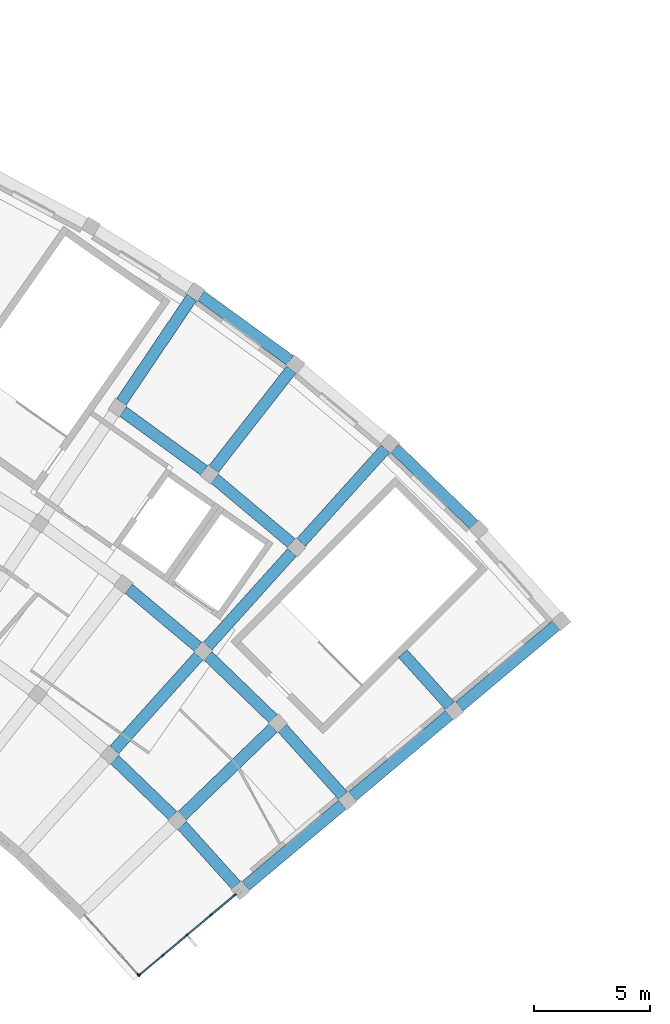
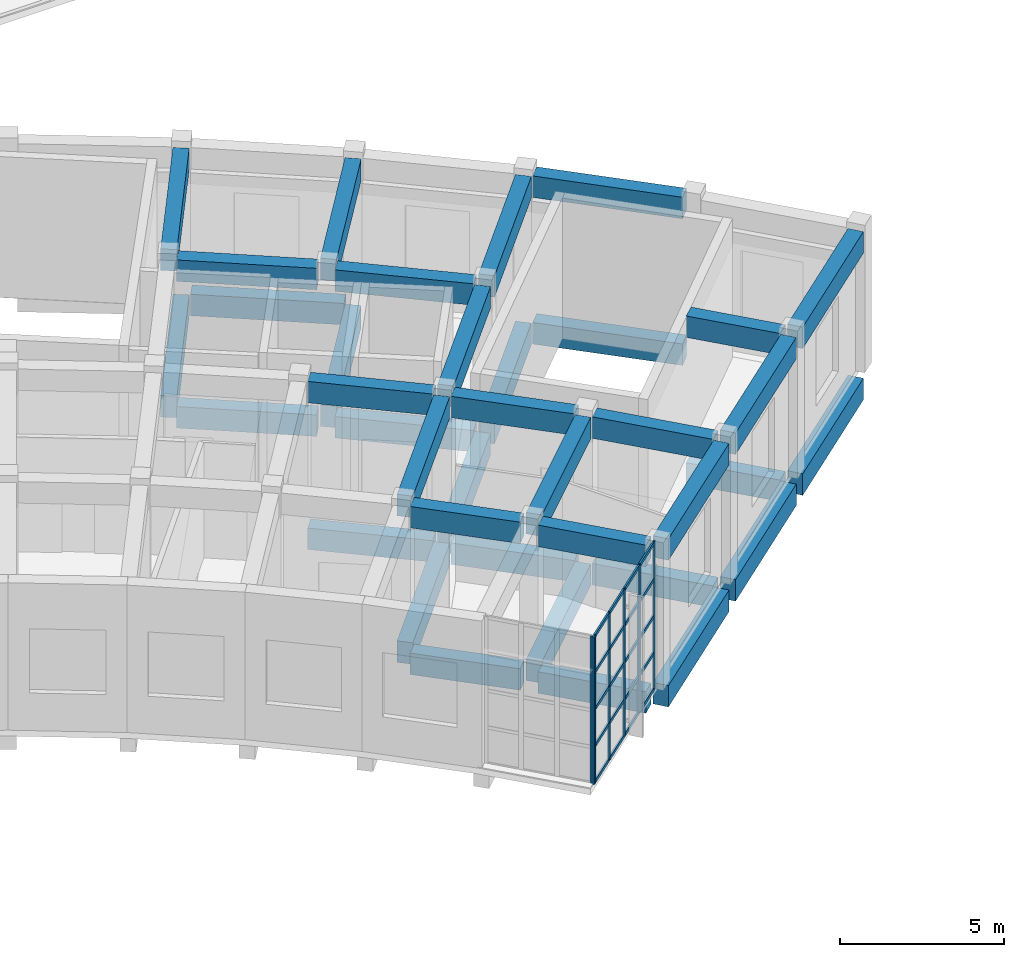
# One storey, part 49 of 94: 37 beams, 26 members, 2 elements without a shape of their own.
"""IFC4 building model written with IfcOpenShell, lengths in metres."""

from ifc_helpers import new_model, si_unit, direction, frame, origin, origin_2d, place, context, subcontext, project, spatial, rectangle, extrude, material, layer, layer_set, material_profile, profile_set, type_object, element, aggregate, save


model = new_model("IFC4")

# Units and contexts
model_context = context("Model", 3, precision=1e-05, world=origin(), true_north=direction((0.0, 1.0)))
body_context = subcontext(model_context, "Body", "Model", "MODEL_VIEW")
ifc_project = project(units=[si_unit("LENGTHUNIT", "METRE"), si_unit("AREAUNIT", "SQUARE_METRE"), si_unit("VOLUMEUNIT", "CUBIC_METRE"), si_unit("PLANEANGLEUNIT", "RADIAN"), si_unit("MASSUNIT", "GRAM", prefix="KILO")], contexts=[model_context])

# Site, building, storey
site_placement = place(None, origin())
site = spatial("IfcSite", under=ifc_project, at=site_placement, CompositionType="ELEMENT")
building_placement = place(site_placement, origin())
building = spatial("IfcBuilding", under=site, at=building_placement, Name="Lunette Opera House", CompositionType="ELEMENT")
storey_placement = place(building_placement, frame((0.0, 0.0, 22.5)))
storey = spatial("IfcBuildingStorey", under=building, at=storey_placement, Name="L04", CompositionType="ELEMENT", Elevation=22.5)

# Curtain wall, member
ifc_material_1 = material(Name="Aluminium", Category="aluminium")
ifc_layer = layer(ifc_material_1, 0.159912109375)
ifc_layer_set = layer_set([ifc_layer], Name="Aluminium")
curtain_wall_type = type_object("IfcCurtainWallType", Name="CORNER CURTAIN WALL", PredefinedType="NOTDEFINED", material=ifc_layer_set)
curtain_wall_1_placement = place(storey_placement, origin())
curtain_wall_1 = element("IfcCurtainWall", 1, at=curtain_wall_1_placement, inside=storey, type_object=curtain_wall_type, Name="Corner Curtain Wall GC-E1 L04", PredefinedType="NOTDEFINED")
ifc_material_2 = material(Name="Aluminium", Category="aluminium")
ifc_material_profile_1 = material_profile(ifc_material_2, rectangle(XDim=0.06005859375, YDim=0.159912109375, at=origin_2d()), Name="MULLION 60 X 160")
ifc_profile_set_1 = profile_set([ifc_material_profile_1], Name="Aluminium")
member_type_1 = type_object("IfcMemberType", Name="MULLION 60 X 160", PredefinedType="MULLION", material=ifc_profile_set_1)
member_1_placement = place(storey_placement, frame((136.0439453125, 33.640380859375, 0.0), z_axis=(0.0, 0.0, 1.0), x_axis=(0.744216793887, 0.667938143615, 0.0)))
member_1 = element("IfcMember", 2, at=member_1_placement, type_object=member_type_1, Name="FC-X2179 mullion 4", PredefinedType="MULLION", context=body_context, shape_type="SweptSolid", body=[
    extrude(rectangle(XDim=0.06005859375, YDim=0.159912109375, at=origin_2d()), origin(), (0.0, 0.0, 1.0), 5.5),
])
aggregate(curtain_wall_1, [member_1])

# Curtain wall, members
curtain_wall_2_placement = place(storey_placement, origin())
curtain_wall_2 = element("IfcCurtainWall", 3, at=curtain_wall_2_placement, inside=storey, type_object=curtain_wall_type, Name="Corner Curtain Wall GC-E2 L04", PredefinedType="NOTDEFINED")
member_2_placement = place(storey_placement, frame((136.0869140625, 33.63720703125, 0.0), z_axis=(0.0, 0.0, 1.0), x_axis=(-0.642840201999, 0.766000309852, 0.0)))
member_2 = element("IfcMember", 4, at=member_2_placement, type_object=member_type_1, Name="FC-X2180 mullion 1", PredefinedType="MULLION", context=body_context, shape_type="SweptSolid", body=[
    extrude(rectangle(XDim=0.06005859375, YDim=0.159912109375, at=origin_2d()), origin(), (0.0, 0.0, 1.0), 5.5),
])
member_3_placement = place(storey_placement, frame((137.097900390625, 34.48583984375, 0.0), z_axis=(0.0, 0.0, 1.0), x_axis=(-0.642840201999, 0.766000309852, 0.0)))
member_3 = element("IfcMember", 5, at=member_3_placement, type_object=member_type_1, Name="FC-X2180 mullion 2", PredefinedType="MULLION", context=body_context, shape_type="SweptSolid", body=[
    extrude(rectangle(XDim=0.06005859375, YDim=0.159912109375, at=origin_2d()), origin(), (0.0, 0.0, 1.0), 5.5),
])
member_4_placement = place(storey_placement, frame((138.132080078125, 35.353515625, 0.0), z_axis=(0.0, 0.0, 1.0), x_axis=(-0.642840201999, 0.766000309852, 0.0)))
member_4 = element("IfcMember", 6, at=member_4_placement, type_object=member_type_1, Name="FC-X2180 mullion 3", PredefinedType="MULLION", context=body_context, shape_type="SweptSolid", body=[
    extrude(rectangle(XDim=0.06005859375, YDim=0.159912109375, at=origin_2d()), origin(), (0.0, 0.0, 1.0), 5.5),
])
member_5_placement = place(storey_placement, frame((139.166015625, 36.22119140625, 0.0), z_axis=(0.0, 0.0, 1.0), x_axis=(-0.642840201999, 0.766000309852, 0.0)))
member_5 = element("IfcMember", 7, at=member_5_placement, type_object=member_type_1, Name="FC-X2180 mullion 4", PredefinedType="MULLION", context=body_context, shape_type="SweptSolid", body=[
    extrude(rectangle(XDim=0.06005859375, YDim=0.159912109375, at=origin_2d()), origin(), (0.0, 0.0, 1.0), 5.5),
])
member_6_placement = place(storey_placement, frame((140.177001953125, 37.06982421875, 0.0), z_axis=(0.0, 0.0, 1.0), x_axis=(-0.642840201999, 0.766000309852, 0.0)))
member_6 = element("IfcMember", 8, at=member_6_placement, type_object=member_type_1, Name="FC-X2180 mullion 5", PredefinedType="MULLION", context=body_context, shape_type="SweptSolid", body=[
    extrude(rectangle(XDim=0.06005859375, YDim=0.159912109375, at=origin_2d()), origin(), (0.0, 0.0, 1.0), 5.5),
])

# Beams
ifc_material_3 = material(Name="Concrete C35/45", Category="concrete")
ifc_material_profile_2 = material_profile(ifc_material_3, rectangle(XDim=0.5, YDim=0.800048828125, at=origin_2d()), Name="RC BEAM 500X800")
ifc_profile_set_2 = profile_set([ifc_material_profile_2], Name="Concrete C35/45")
beam_type = type_object("IfcBeamType", Name="RC BEAM 500X800", PredefinedType="BEAM", material=ifc_profile_set_2)
beam_1_placement = place(storey_placement, frame((135.305908203125, 58.27294921875, -0.6201171875), z_axis=(0.559110702561, 0.82909301184, 0.0), x_axis=(-0.82909301184, 0.559110702561, 0.0)))
element("IfcBeam", 9, at=beam_1_placement, inside=storey, type_object=beam_type, Name="beam-FC-L04-L04-RB-RL-22-4", PredefinedType="BEAM", context=body_context, shape_type="SweptSolid", body=[
    extrude(rectangle(XDim=0.5, YDim=0.800048828125, at=origin_2d()), origin(), (0.0, 0.0, 1.0), 5.41943359375),
])
beam_2_placement = place(storey_placement, frame((139.27490234375, 55.388916015625, -0.6201171875), z_axis=(0.615694738136, 0.78798476472, 0.0), x_axis=(-0.78798476472, 0.615694738136, 0.0)))
element("IfcBeam", 10, at=beam_2_placement, inside=storey, type_object=beam_type, Name="beam-FC-L04-L04-RB-RL-23-4", PredefinedType="BEAM", context=body_context, shape_type="SweptSolid", body=[
    extrude(rectangle(XDim=0.5, YDim=0.800048828125, at=origin_2d()), origin(), (0.0, 0.0, 1.0), 5.420166015625),
])
beam_3_placement = place(storey_placement, frame((135.00390625, 43.318115234375, -0.6201171875), z_axis=(0.669059303024, 0.743209021095, 0.0), x_axis=(-0.743209021095, 0.669059303024, 0.0)))
element("IfcBeam", 11, at=beam_3_placement, inside=storey, type_object=beam_type, Name="beam-FC-L04-L04-RB-RL-24-2", PredefinedType="BEAM", context=body_context, shape_type="SweptSolid", body=[
    extrude(rectangle(XDim=0.5, YDim=0.800048828125, at=origin_2d()), origin(), (0.0, 0.0, 1.0), 5.41943359375),
])
beam_4_placement = place(storey_placement, frame((139.01806640625, 47.777099609375, -0.6201171875), z_axis=(0.66915881677, 0.743119423739, 0.0), x_axis=(-0.743119423739, 0.66915881677, 0.0)))
element("IfcBeam", 12, at=beam_4_placement, inside=storey, type_object=beam_type, Name="beam-FC-L04-L04-RB-RL-24-3", PredefinedType="BEAM", context=body_context, shape_type="SweptSolid", body=[
    extrude(rectangle(XDim=0.5, YDim=0.800048828125, at=origin_2d()), origin(), (0.0, 0.0, 1.0), 5.420166015625),
])
beam_5_placement = place(storey_placement, frame((143.032958984375, 52.236083984375, -0.6201171875), z_axis=(0.669248417117, 0.743038731283, 0.0), x_axis=(-0.743038731283, 0.669248417117, 0.0)))
element("IfcBeam", 13, at=beam_5_placement, inside=storey, type_object=beam_type, Name="beam-FC-L04-L04-RB-RL-24-4", PredefinedType="BEAM", context=body_context, shape_type="SweptSolid", body=[
    extrude(rectangle(XDim=0.5, YDim=0.800048828125, at=origin_2d()), origin(), (0.0, 0.0, 1.0), 5.41943359375),
])
beam_6_placement = place(storey_placement, frame((137.929931640625, 40.491943359375, -0.6201171875), z_axis=(0.719362654248, 0.694634703764, 0.0), x_axis=(-0.694634703764, 0.719362654248, 0.0)))
element("IfcBeam", 14, at=beam_6_placement, inside=storey, type_object=beam_type, Name="beam-FC-L04-L04-RB-RL-25-2", PredefinedType="BEAM", context=body_context, shape_type="SweptSolid", body=[
    extrude(rectangle(XDim=0.5, YDim=0.800048828125, at=origin_2d()), origin(), (0.0, 0.0, 1.0), 5.42041015625),
])
beam_7_placement = place(storey_placement, frame((140.653076171875, 37.468017578125, -0.6201171875), z_axis=(0.766038417281, 0.642794790932, 0.0), x_axis=(-0.642794790932, 0.766038417281, 0.0)))
element("IfcBeam", 15, at=beam_7_placement, inside=storey, type_object=beam_type, Name="beam-FC-L04-L04-RB-RL-26-2", PredefinedType="BEAM", context=body_context, shape_type="SweptSolid", body=[
    extrude(rectangle(XDim=0.5, YDim=0.800048828125, at=origin_2d()), origin(), (0.0, 0.0, 1.0), 5.419921875),
])
beam_8_placement = place(storey_placement, frame((145.2490234375, 41.324951171875, -0.6201171875), z_axis=(0.76601623697, 0.642821222968, 0.0), x_axis=(-0.642821222968, 0.76601623697, 0.0)))
element("IfcBeam", 16, at=beam_8_placement, inside=storey, type_object=beam_type, Name="beam-FC-L04-L04-RB-RL-26-3", PredefinedType="BEAM", context=body_context, shape_type="SweptSolid", body=[
    extrude(rectangle(XDim=0.5, YDim=0.800048828125, at=origin_2d()), origin(), (0.0, 0.0, 1.0), 5.420166015625),
])
beam_9_placement = place(storey_placement, frame((149.844970703125, 45.181884765625, -0.6201171875), z_axis=(0.766123568509, 0.64269329993, 0.0), x_axis=(-0.64269329993, 0.766123568509, 0.0)))
element("IfcBeam", 17, at=beam_9_placement, inside=storey, type_object=beam_type, Name="beam-FC-L04-L04-RB-RL-26-4", PredefinedType="BEAM", context=body_context, shape_type="SweptSolid", body=[
    extrude(rectangle(XDim=0.5, YDim=0.800048828125, at=origin_2d()), origin(), (0.0, 0.0, 1.0), 5.419677734375),
])
beam_10_placement = place(storey_placement, frame((135.01904296875, 42.89990234375, -0.6201171875), z_axis=(0.719392966206, -0.694603311375, 0.0), x_axis=(0.694603311375, 0.719392966206, 0.0)))
element("IfcBeam", 18, at=beam_10_placement, inside=storey, type_object=beam_type, Name="beam-FC-L04-L04-RG-AR-M1-RL-24", PredefinedType="BEAM", context=body_context, shape_type="SweptSolid", body=[
    extrude(rectangle(XDim=0.5, YDim=0.800048828125, at=origin_2d()), origin(), (0.0, 0.0, 1.0), 3.466552734375),
])
beam_11_placement = place(storey_placement, frame((137.916015625, 40.073974609375, -0.6201171875), z_axis=(0.66939642039, -0.742905399341, 0.0), x_axis=(0.742905399341, 0.66939642039, 0.0)))
element("IfcBeam", 19, at=beam_11_placement, inside=storey, type_object=beam_type, Name="beam-FC-L04-L04-RG-AR-M1-RL-25", PredefinedType="BEAM", context=body_context, shape_type="SweptSolid", body=[
    extrude(rectangle(XDim=0.5, YDim=0.800048828125, at=origin_2d()), origin(), (0.0, 0.0, 1.0), 3.46728515625),
])
beam_12_placement = place(storey_placement, frame((135.6240234375, 50.24609375, -0.6201171875), z_axis=(0.76614764774, -0.642664595153, 0.0), x_axis=(0.642664595153, 0.76614764774, 0.0)))
element("IfcBeam", 20, at=beam_12_placement, inside=storey, type_object=beam_type, Name="beam-FC-L04-L04-RG-AR-B-RL-23", PredefinedType="BEAM", context=body_context, shape_type="SweptSolid", body=[
    extrude(rectangle(XDim=0.5, YDim=0.800048828125, at=origin_2d()), origin(), (0.0, 0.0, 1.0), 3.886962890625),
])
beam_13_placement = place(storey_placement, frame((139.032958984375, 47.35888671875, -0.6201171875), z_axis=(0.719497793306, -0.694494726709, 0.0), x_axis=(0.694494726709, 0.719497793306, 0.0)))
element("IfcBeam", 21, at=beam_13_placement, inside=storey, type_object=beam_type, Name="beam-FC-L04-L04-RG-AR-B-RL-24", PredefinedType="BEAM", context=body_context, shape_type="SweptSolid", body=[
    extrude(rectangle(XDim=0.5, YDim=0.800048828125, at=origin_2d()), origin(), (0.0, 0.0, 1.0), 3.88623046875),
])
beam_14_placement = place(storey_placement, frame((142.23193359375, 44.241943359375, -0.6201171875), z_axis=(0.669238854245, -0.743047344365, 0.0), x_axis=(0.743047344365, 0.669238854245, 0.0)))
element("IfcBeam", 22, at=beam_14_placement, inside=storey, type_object=beam_type, Name="beam-FC-L04-L04-RG-AR-B-RL-25", PredefinedType="BEAM", context=body_context, shape_type="SweptSolid", body=[
    extrude(rectangle(XDim=0.5, YDim=0.800048828125, at=origin_2d()), origin(), (0.0, 0.0, 1.0), 3.88671875),
])
beam_15_placement = place(storey_placement, frame((135.37890625, 57.862060546875, -0.6201171875), z_axis=(0.809008257327, -0.587797277619, 0.0), x_axis=(0.587797277619, 0.809008257327, 0.0)))
element("IfcBeam", 23, at=beam_15_placement, inside=storey, type_object=beam_type, Name="beam-FC-L04-L04-RG-AR-M2-RL-22", PredefinedType="BEAM", context=body_context, shape_type="SweptSolid", body=[
    extrude(rectangle(XDim=0.5, YDim=0.800048828125, at=origin_2d()), origin(), (0.0, 0.0, 1.0), 4.30419921875),
])
beam_16_placement = place(storey_placement, frame((139.318115234375, 54.97412109375, -0.6201171875), z_axis=(0.766153717556, -0.642657358998, 0.0), x_axis=(0.642657358998, 0.766153717556, 0.0)))
element("IfcBeam", 24, at=beam_16_placement, inside=storey, type_object=beam_type, Name="beam-FC-L04-L04-RG-AR-M2-RL-23", PredefinedType="BEAM", context=body_context, shape_type="SweptSolid", body=[
    extrude(rectangle(XDim=0.5, YDim=0.800048828125, at=origin_2d()), origin(), (0.0, 0.0, 1.0), 4.3056640625),
])
beam_17_placement = place(storey_placement, frame((147.405029296875, 47.458984375, -0.6201171875), z_axis=(0.66908957812, -0.743181765419, 0.0), x_axis=(0.743181765419, 0.66908957812, 0.0)))
element("IfcBeam", 25, at=beam_17_placement, inside=storey, type_object=beam_type, Name="beam-FC-L04-L04-RG-AR-M2-RL-25", PredefinedType="BEAM", context=body_context, shape_type="SweptSolid", body=[
    extrude(rectangle(XDim=0.5, YDim=0.800048828125, at=origin_2d()), origin(), (0.0, 0.0, 1.0), 3.02490234375),
])
beam_18_placement = place(storey_placement, frame((138.73388671875, 62.8359375, -0.6201171875), z_axis=(0.809044453517, -0.587747456169, 0.0), x_axis=(0.587747456169, 0.809044453517, 0.0)))
element("IfcBeam", 26, at=beam_18_placement, inside=storey, type_object=beam_type, Name="beam-FC-L04-L04-RG-AR-C-RL-22", PredefinedType="BEAM", context=body_context, shape_type="SweptSolid", body=[
    extrude(rectangle(XDim=0.5, YDim=0.800048828125, at=origin_2d()), origin(), (0.0, 0.0, 1.0), 4.722900390625),
])
beam_19_placement = place(storey_placement, frame((147.06298828125, 56.277099609375, -0.6201171875), z_axis=(0.719377413879, -0.694619418388, 0.0), x_axis=(0.694619418388, 0.719377413879, 0.0)))
element("IfcBeam", 27, at=beam_19_placement, inside=storey, type_object=beam_type, Name="beam-FC-L04-L04-RG-AR-C-RL-24", PredefinedType="BEAM", context=body_context, shape_type="SweptSolid", body=[
    extrude(rectangle(XDim=0.5, YDim=0.800048828125, at=origin_2d()), origin(), (0.0, 0.0, 1.0), 4.723388671875),
])
beam_20_placement = place(storey_placement, frame((135.305908203125, 58.27294921875, 4.85009765625), z_axis=(0.559110702561, 0.82909301184, 0.0), x_axis=(-0.82909301184, 0.559110702561, 0.0)))
element("IfcBeam", 28, at=beam_20_placement, inside=storey, type_object=beam_type, Name="beam-FC-L04-RF-RB-RL-22-4", PredefinedType="BEAM", context=body_context, shape_type="SweptSolid", body=[
    extrude(rectangle(XDim=0.5, YDim=0.800048828125, at=origin_2d()), origin(), (0.0, 0.0, 1.0), 5.41943359375),
])
beam_21_placement = place(storey_placement, frame((139.27490234375, 55.388916015625, 4.85009765625), z_axis=(0.615694738136, 0.78798476472, 0.0), x_axis=(-0.78798476472, 0.615694738136, 0.0)))
element("IfcBeam", 29, at=beam_21_placement, inside=storey, type_object=beam_type, Name="beam-FC-L04-RF-RB-RL-23-4", PredefinedType="BEAM", context=body_context, shape_type="SweptSolid", body=[
    extrude(rectangle(XDim=0.5, YDim=0.800048828125, at=origin_2d()), origin(), (0.0, 0.0, 1.0), 5.420166015625),
])
beam_22_placement = place(storey_placement, frame((135.00390625, 43.318115234375, 4.85009765625), z_axis=(0.669059303024, 0.743209021095, 0.0), x_axis=(-0.743209021095, 0.669059303024, 0.0)))
element("IfcBeam", 30, at=beam_22_placement, inside=storey, type_object=beam_type, Name="beam-FC-L04-RF-RB-RL-24-2", PredefinedType="BEAM", context=body_context, shape_type="SweptSolid", body=[
    extrude(rectangle(XDim=0.5, YDim=0.800048828125, at=origin_2d()), origin(), (0.0, 0.0, 1.0), 5.41943359375),
])
beam_23_placement = place(storey_placement, frame((139.01806640625, 47.777099609375, 4.85009765625), z_axis=(0.66915881677, 0.743119423739, 0.0), x_axis=(-0.743119423739, 0.66915881677, 0.0)))
element("IfcBeam", 31, at=beam_23_placement, inside=storey, type_object=beam_type, Name="beam-FC-L04-RF-RB-RL-24-3", PredefinedType="BEAM", context=body_context, shape_type="SweptSolid", body=[
    extrude(rectangle(XDim=0.5, YDim=0.800048828125, at=origin_2d()), origin(), (0.0, 0.0, 1.0), 5.420166015625),
])
beam_24_placement = place(storey_placement, frame((143.032958984375, 52.236083984375, 4.85009765625), z_axis=(0.669248417117, 0.743038731283, 0.0), x_axis=(-0.743038731283, 0.669248417117, 0.0)))
element("IfcBeam", 32, at=beam_24_placement, inside=storey, type_object=beam_type, Name="beam-FC-L04-RF-RB-RL-24-4", PredefinedType="BEAM", context=body_context, shape_type="SweptSolid", body=[
    extrude(rectangle(XDim=0.5, YDim=0.800048828125, at=origin_2d()), origin(), (0.0, 0.0, 1.0), 5.41943359375),
])
beam_25_placement = place(storey_placement, frame((137.929931640625, 40.491943359375, 4.85009765625), z_axis=(0.719362654248, 0.694634703764, 0.0), x_axis=(-0.694634703764, 0.719362654248, 0.0)))
element("IfcBeam", 33, at=beam_25_placement, inside=storey, type_object=beam_type, Name="beam-FC-L04-RF-RB-RL-25-2", PredefinedType="BEAM", context=body_context, shape_type="SweptSolid", body=[
    extrude(rectangle(XDim=0.5, YDim=0.800048828125, at=origin_2d()), origin(), (0.0, 0.0, 1.0), 5.42041015625),
])
beam_26_placement = place(storey_placement, frame((140.653076171875, 37.468017578125, 4.85009765625), z_axis=(0.766038417281, 0.642794790932, 0.0), x_axis=(-0.642794790932, 0.766038417281, 0.0)))
element("IfcBeam", 34, at=beam_26_placement, inside=storey, type_object=beam_type, Name="beam-FC-L04-RF-RB-RL-26-2", PredefinedType="BEAM", context=body_context, shape_type="SweptSolid", body=[
    extrude(rectangle(XDim=0.5, YDim=0.800048828125, at=origin_2d()), origin(), (0.0, 0.0, 1.0), 5.419921875),
])
beam_27_placement = place(storey_placement, frame((145.2490234375, 41.324951171875, 4.85009765625), z_axis=(0.76601623697, 0.642821222968, 0.0), x_axis=(-0.642821222968, 0.76601623697, 0.0)))
element("IfcBeam", 35, at=beam_27_placement, inside=storey, type_object=beam_type, Name="beam-FC-L04-RF-RB-RL-26-3", PredefinedType="BEAM", context=body_context, shape_type="SweptSolid", body=[
    extrude(rectangle(XDim=0.5, YDim=0.800048828125, at=origin_2d()), origin(), (0.0, 0.0, 1.0), 5.420166015625),
])
beam_28_placement = place(storey_placement, frame((149.844970703125, 45.181884765625, 4.85009765625), z_axis=(0.766123568509, 0.64269329993, 0.0), x_axis=(-0.64269329993, 0.766123568509, 0.0)))
element("IfcBeam", 36, at=beam_28_placement, inside=storey, type_object=beam_type, Name="beam-FC-L04-RF-RB-RL-26-4", PredefinedType="BEAM", context=body_context, shape_type="SweptSolid", body=[
    extrude(rectangle(XDim=0.5, YDim=0.800048828125, at=origin_2d()), origin(), (0.0, 0.0, 1.0), 5.419677734375),
])
beam_29_placement = place(storey_placement, frame((135.01904296875, 42.89990234375, 4.85009765625), z_axis=(0.719392966206, -0.694603311375, 0.0), x_axis=(0.694603311375, 0.719392966206, 0.0)))
element("IfcBeam", 37, at=beam_29_placement, inside=storey, type_object=beam_type, Name="beam-FC-L04-RF-RG-AR-M1-RL-24", PredefinedType="BEAM", context=body_context, shape_type="SweptSolid", body=[
    extrude(rectangle(XDim=0.5, YDim=0.800048828125, at=origin_2d()), origin(), (0.0, 0.0, 1.0), 3.466552734375),
])
beam_30_placement = place(storey_placement, frame((137.916015625, 40.073974609375, 4.85009765625), z_axis=(0.66939642039, -0.742905399341, 0.0), x_axis=(0.742905399341, 0.66939642039, 0.0)))
element("IfcBeam", 38, at=beam_30_placement, inside=storey, type_object=beam_type, Name="beam-FC-L04-RF-RG-AR-M1-RL-25", PredefinedType="BEAM", context=body_context, shape_type="SweptSolid", body=[
    extrude(rectangle(XDim=0.5, YDim=0.800048828125, at=origin_2d()), origin(), (0.0, 0.0, 1.0), 3.46728515625),
])
beam_31_placement = place(storey_placement, frame((135.6240234375, 50.24609375, 4.85009765625), z_axis=(0.76614764774, -0.642664595153, 0.0), x_axis=(0.642664595153, 0.76614764774, 0.0)))
element("IfcBeam", 39, at=beam_31_placement, inside=storey, type_object=beam_type, Name="beam-FC-L04-RF-RG-AR-B-RL-23", PredefinedType="BEAM", context=body_context, shape_type="SweptSolid", body=[
    extrude(rectangle(XDim=0.5, YDim=0.800048828125, at=origin_2d()), origin(), (0.0, 0.0, 1.0), 3.886962890625),
])
beam_32_placement = place(storey_placement, frame((139.032958984375, 47.35888671875, 4.85009765625), z_axis=(0.719497793306, -0.694494726709, 0.0), x_axis=(0.694494726709, 0.719497793306, 0.0)))
element("IfcBeam", 40, at=beam_32_placement, inside=storey, type_object=beam_type, Name="beam-FC-L04-RF-RG-AR-B-RL-24", PredefinedType="BEAM", context=body_context, shape_type="SweptSolid", body=[
    extrude(rectangle(XDim=0.5, YDim=0.800048828125, at=origin_2d()), origin(), (0.0, 0.0, 1.0), 3.88623046875),
])
beam_33_placement = place(storey_placement, frame((142.23193359375, 44.241943359375, 4.85009765625), z_axis=(0.669238854245, -0.743047344365, 0.0), x_axis=(0.743047344365, 0.669238854245, 0.0)))
element("IfcBeam", 41, at=beam_33_placement, inside=storey, type_object=beam_type, Name="beam-FC-L04-RF-RG-AR-B-RL-25", PredefinedType="BEAM", context=body_context, shape_type="SweptSolid", body=[
    extrude(rectangle(XDim=0.5, YDim=0.800048828125, at=origin_2d()), origin(), (0.0, 0.0, 1.0), 3.88671875),
])
beam_34_placement = place(storey_placement, frame((135.37890625, 57.862060546875, 4.85009765625), z_axis=(0.809008257327, -0.587797277619, 0.0), x_axis=(0.587797277619, 0.809008257327, 0.0)))
element("IfcBeam", 42, at=beam_34_placement, inside=storey, type_object=beam_type, Name="beam-FC-L04-RF-RG-AR-M2-RL-22", PredefinedType="BEAM", context=body_context, shape_type="SweptSolid", body=[
    extrude(rectangle(XDim=0.5, YDim=0.800048828125, at=origin_2d()), origin(), (0.0, 0.0, 1.0), 4.30419921875),
])
beam_35_placement = place(storey_placement, frame((139.318115234375, 54.97412109375, 4.85009765625), z_axis=(0.766153717556, -0.642657358998, 0.0), x_axis=(0.642657358998, 0.766153717556, 0.0)))
element("IfcBeam", 43, at=beam_35_placement, inside=storey, type_object=beam_type, Name="beam-FC-L04-RF-RG-AR-M2-RL-23", PredefinedType="BEAM", context=body_context, shape_type="SweptSolid", body=[
    extrude(rectangle(XDim=0.5, YDim=0.800048828125, at=origin_2d()), origin(), (0.0, 0.0, 1.0), 4.3056640625),
])
beam_36_placement = place(storey_placement, frame((147.405029296875, 47.458984375, 4.85009765625), z_axis=(0.66908957812, -0.743181765419, 0.0), x_axis=(0.743181765419, 0.66908957812, 0.0)))
element("IfcBeam", 44, at=beam_36_placement, inside=storey, type_object=beam_type, Name="beam-FC-L04-RF-RG-AR-M2-RL-25", PredefinedType="BEAM", context=body_context, shape_type="SweptSolid", body=[
    extrude(rectangle(XDim=0.5, YDim=0.800048828125, at=origin_2d()), origin(), (0.0, 0.0, 1.0), 3.02490234375),
])
beam_37_placement = place(storey_placement, frame((147.06298828125, 56.277099609375, 4.85009765625), z_axis=(0.719377413879, -0.694619418388, 0.0), x_axis=(0.694619418388, 0.719377413879, 0.0)))
element("IfcBeam", 45, at=beam_37_placement, inside=storey, type_object=beam_type, Name="beam-FC-L04-RF-RG-AR-C-RL-24", PredefinedType="BEAM", context=body_context, shape_type="SweptSolid", body=[
    extrude(rectangle(XDim=0.5, YDim=0.800048828125, at=origin_2d()), origin(), (0.0, 0.0, 1.0), 4.723388671875),
])

# Member
ifc_material_4 = material(Name="Aluminium", Category="aluminium")
ifc_material_profile_3 = material_profile(ifc_material_4, rectangle(XDim=0.06005859375, YDim=0.1201171875, at=origin_2d()), Name="TRANSOM 60 X 120")
ifc_profile_set_3 = profile_set([ifc_material_profile_3], Name="Aluminium")
member_type_2 = type_object("IfcMemberType", Name="TRANSOM 60 X 120", PredefinedType="USERDEFINED", material=ifc_profile_set_3)
member_7_placement = place(storey_placement, frame((136.10986328125, 33.656494140625, 0.030029296875), z_axis=(0.765945288288, 0.642905759307, 0.0), x_axis=(-0.642905759307, 0.765945288288, 0.0)))
member_7 = element("IfcMember", 46, at=member_7_placement, type_object=member_type_2, Name="FC-X2180 transom 1.1", ObjectType="TRANSOM", PredefinedType="USERDEFINED", context=body_context, shape_type="SweptSolid", body=[
    extrude(rectangle(XDim=0.06005859375, YDim=0.1201171875, at=origin_2d()), origin(), (0.0, 0.0, 1.0), 1.260009765625),
])

member_8_placement = place(storey_placement, frame((136.10986328125, 33.656494140625, 1.375), z_axis=(0.765945288288, 0.642905759307, 0.0), x_axis=(-0.642905759307, 0.765945288288, 0.0)))
member_8 = element("IfcMember", 47, at=member_8_placement, type_object=member_type_2, Name="FC-X2180 transom 1.2", ObjectType="TRANSOM", PredefinedType="USERDEFINED", context=body_context, shape_type="SweptSolid", body=[
    extrude(rectangle(XDim=0.06005859375, YDim=0.1201171875, at=origin_2d()), origin(), (0.0, 0.0, 1.0), 1.260009765625),
])

member_9_placement = place(storey_placement, frame((136.10986328125, 33.656494140625, 2.75), z_axis=(0.765945288288, 0.642905759307, 0.0), x_axis=(-0.642905759307, 0.765945288288, 0.0)))
member_9 = element("IfcMember", 48, at=member_9_placement, type_object=member_type_2, Name="FC-X2180 transom 1.3", ObjectType="TRANSOM", PredefinedType="USERDEFINED", context=body_context, shape_type="SweptSolid", body=[
    extrude(rectangle(XDim=0.06005859375, YDim=0.1201171875, at=origin_2d()), origin(), (0.0, 0.0, 1.0), 1.260009765625),
])

member_10_placement = place(storey_placement, frame((136.10986328125, 33.656494140625, 4.125), z_axis=(0.765945288288, 0.642905759307, 0.0), x_axis=(-0.642905759307, 0.765945288288, 0.0)))
member_10 = element("IfcMember", 49, at=member_10_placement, type_object=member_type_2, Name="FC-X2180 transom 1.4", ObjectType="TRANSOM", PredefinedType="USERDEFINED", context=body_context, shape_type="SweptSolid", body=[
    extrude(rectangle(XDim=0.06005859375, YDim=0.1201171875, at=origin_2d()), origin(), (0.0, 0.0, 1.0), 1.260009765625),
])

member_11_placement = place(storey_placement, frame((136.10986328125, 33.656494140625, 5.469970703125), z_axis=(0.765945288288, 0.642905759307, 0.0), x_axis=(-0.642905759307, 0.765945288288, 0.0)))
member_11 = element("IfcMember", 50, at=member_11_placement, type_object=member_type_2, Name="FC-X2180 transom 1.5", ObjectType="TRANSOM", PredefinedType="USERDEFINED", context=body_context, shape_type="SweptSolid", body=[
    extrude(rectangle(XDim=0.06005859375, YDim=0.1201171875, at=origin_2d()), origin(), (0.0, 0.0, 1.0), 1.260009765625),
])

member_12_placement = place(storey_placement, frame((137.12109375, 34.505126953125, 0.030029296875), z_axis=(0.76602917681, 0.642805802927, 0.0), x_axis=(-0.642805802927, 0.76602917681, 0.0)))
member_12 = element("IfcMember", 51, at=member_12_placement, type_object=member_type_2, Name="FC-X2180 transom 2.1", ObjectType="TRANSOM", PredefinedType="USERDEFINED", context=body_context, shape_type="SweptSolid", body=[
    extrude(rectangle(XDim=0.06005859375, YDim=0.1201171875, at=origin_2d()), origin(), (0.0, 0.0, 1.0), 1.289794921875),
])

member_13_placement = place(storey_placement, frame((137.12109375, 34.505126953125, 1.375), z_axis=(0.76602917681, 0.642805802927, 0.0), x_axis=(-0.642805802927, 0.76602917681, 0.0)))
member_13 = element("IfcMember", 52, at=member_13_placement, type_object=member_type_2, Name="FC-X2180 transom 2.2", ObjectType="TRANSOM", PredefinedType="USERDEFINED", context=body_context, shape_type="SweptSolid", body=[
    extrude(rectangle(XDim=0.06005859375, YDim=0.1201171875, at=origin_2d()), origin(), (0.0, 0.0, 1.0), 1.289794921875),
])

member_14_placement = place(storey_placement, frame((137.12109375, 34.505126953125, 2.75), z_axis=(0.76602917681, 0.642805802927, 0.0), x_axis=(-0.642805802927, 0.76602917681, 0.0)))
member_14 = element("IfcMember", 53, at=member_14_placement, type_object=member_type_2, Name="FC-X2180 transom 2.3", ObjectType="TRANSOM", PredefinedType="USERDEFINED", context=body_context, shape_type="SweptSolid", body=[
    extrude(rectangle(XDim=0.06005859375, YDim=0.1201171875, at=origin_2d()), origin(), (0.0, 0.0, 1.0), 1.289794921875),
])

member_15_placement = place(storey_placement, frame((137.12109375, 34.505126953125, 4.125), z_axis=(0.76602917681, 0.642805802927, 0.0), x_axis=(-0.642805802927, 0.76602917681, 0.0)))
member_15 = element("IfcMember", 54, at=member_15_placement, type_object=member_type_2, Name="FC-X2180 transom 2.4", ObjectType="TRANSOM", PredefinedType="USERDEFINED", context=body_context, shape_type="SweptSolid", body=[
    extrude(rectangle(XDim=0.06005859375, YDim=0.1201171875, at=origin_2d()), origin(), (0.0, 0.0, 1.0), 1.289794921875),
])

member_16_placement = place(storey_placement, frame((137.12109375, 34.505126953125, 5.469970703125), z_axis=(0.76602917681, 0.642805802927, 0.0), x_axis=(-0.642805802927, 0.76602917681, 0.0)))
member_16 = element("IfcMember", 55, at=member_16_placement, type_object=member_type_2, Name="FC-X2180 transom 2.5", ObjectType="TRANSOM", PredefinedType="USERDEFINED", context=body_context, shape_type="SweptSolid", body=[
    extrude(rectangle(XDim=0.06005859375, YDim=0.1201171875, at=origin_2d()), origin(), (0.0, 0.0, 1.0), 1.289794921875),
])

member_17_placement = place(storey_placement, frame((138.155029296875, 35.372802734375, 0.030029296875), z_axis=(0.76602917681, 0.642805802927, 0.0), x_axis=(-0.642805802927, 0.76602917681, 0.0)))
member_17 = element("IfcMember", 56, at=member_17_placement, type_object=member_type_2, Name="FC-X2180 transom 3.1", ObjectType="TRANSOM", PredefinedType="USERDEFINED", context=body_context, shape_type="SweptSolid", body=[
    extrude(rectangle(XDim=0.06005859375, YDim=0.1201171875, at=origin_2d()), origin(), (0.0, 0.0, 1.0), 1.289794921875),
])

member_18_placement = place(storey_placement, frame((138.155029296875, 35.372802734375, 1.375), z_axis=(0.76602917681, 0.642805802927, 0.0), x_axis=(-0.642805802927, 0.76602917681, 0.0)))
member_18 = element("IfcMember", 57, at=member_18_placement, type_object=member_type_2, Name="FC-X2180 transom 3.2", ObjectType="TRANSOM", PredefinedType="USERDEFINED", context=body_context, shape_type="SweptSolid", body=[
    extrude(rectangle(XDim=0.06005859375, YDim=0.1201171875, at=origin_2d()), origin(), (0.0, 0.0, 1.0), 1.289794921875),
])

member_19_placement = place(storey_placement, frame((138.155029296875, 35.372802734375, 2.75), z_axis=(0.76602917681, 0.642805802927, 0.0), x_axis=(-0.642805802927, 0.76602917681, 0.0)))
member_19 = element("IfcMember", 58, at=member_19_placement, type_object=member_type_2, Name="FC-X2180 transom 3.3", ObjectType="TRANSOM", PredefinedType="USERDEFINED", context=body_context, shape_type="SweptSolid", body=[
    extrude(rectangle(XDim=0.06005859375, YDim=0.1201171875, at=origin_2d()), origin(), (0.0, 0.0, 1.0), 1.289794921875),
])

member_20_placement = place(storey_placement, frame((138.155029296875, 35.372802734375, 4.125), z_axis=(0.76602917681, 0.642805802927, 0.0), x_axis=(-0.642805802927, 0.76602917681, 0.0)))
member_20 = element("IfcMember", 59, at=member_20_placement, type_object=member_type_2, Name="FC-X2180 transom 3.4", ObjectType="TRANSOM", PredefinedType="USERDEFINED", context=body_context, shape_type="SweptSolid", body=[
    extrude(rectangle(XDim=0.06005859375, YDim=0.1201171875, at=origin_2d()), origin(), (0.0, 0.0, 1.0), 1.289794921875),
])

member_21_placement = place(storey_placement, frame((138.155029296875, 35.372802734375, 5.469970703125), z_axis=(0.76602917681, 0.642805802927, 0.0), x_axis=(-0.642805802927, 0.76602917681, 0.0)))
member_21 = element("IfcMember", 60, at=member_21_placement, type_object=member_type_2, Name="FC-X2180 transom 3.5", ObjectType="TRANSOM", PredefinedType="USERDEFINED", context=body_context, shape_type="SweptSolid", body=[
    extrude(rectangle(XDim=0.06005859375, YDim=0.1201171875, at=origin_2d()), origin(), (0.0, 0.0, 1.0), 1.289794921875),
])

member_22_placement = place(storey_placement, frame((139.18896484375, 36.240478515625, 0.030029296875), z_axis=(0.765945288288, 0.642905759307, 0.0), x_axis=(-0.642905759307, 0.765945288288, 0.0)))
member_22 = element("IfcMember", 61, at=member_22_placement, type_object=member_type_2, Name="FC-X2180 transom 4.1", ObjectType="TRANSOM", PredefinedType="USERDEFINED", context=body_context, shape_type="SweptSolid", body=[
    extrude(rectangle(XDim=0.06005859375, YDim=0.1201171875, at=origin_2d()), origin(), (0.0, 0.0, 1.0), 1.260009765625),
])

member_23_placement = place(storey_placement, frame((139.18896484375, 36.240478515625, 1.375), z_axis=(0.765945288288, 0.642905759307, 0.0), x_axis=(-0.642905759307, 0.765945288288, 0.0)))
member_23 = element("IfcMember", 62, at=member_23_placement, type_object=member_type_2, Name="FC-X2180 transom 4.2", ObjectType="TRANSOM", PredefinedType="USERDEFINED", context=body_context, shape_type="SweptSolid", body=[
    extrude(rectangle(XDim=0.06005859375, YDim=0.1201171875, at=origin_2d()), origin(), (0.0, 0.0, 1.0), 1.260009765625),
])

member_24_placement = place(storey_placement, frame((139.18896484375, 36.240478515625, 2.75), z_axis=(0.765945288288, 0.642905759307, 0.0), x_axis=(-0.642905759307, 0.765945288288, 0.0)))
member_24 = element("IfcMember", 63, at=member_24_placement, type_object=member_type_2, Name="FC-X2180 transom 4.3", ObjectType="TRANSOM", PredefinedType="USERDEFINED", context=body_context, shape_type="SweptSolid", body=[
    extrude(rectangle(XDim=0.06005859375, YDim=0.1201171875, at=origin_2d()), origin(), (0.0, 0.0, 1.0), 1.260009765625),
])

member_25_placement = place(storey_placement, frame((139.18896484375, 36.240478515625, 4.125), z_axis=(0.765945288288, 0.642905759307, 0.0), x_axis=(-0.642905759307, 0.765945288288, 0.0)))
member_25 = element("IfcMember", 64, at=member_25_placement, type_object=member_type_2, Name="FC-X2180 transom 4.4", ObjectType="TRANSOM", PredefinedType="USERDEFINED", context=body_context, shape_type="SweptSolid", body=[
    extrude(rectangle(XDim=0.06005859375, YDim=0.1201171875, at=origin_2d()), origin(), (0.0, 0.0, 1.0), 1.260009765625),
])

member_26_placement = place(storey_placement, frame((139.18896484375, 36.240478515625, 5.469970703125), z_axis=(0.765945288288, 0.642905759307, 0.0), x_axis=(-0.642905759307, 0.765945288288, 0.0)))
member_26 = element("IfcMember", 65, at=member_26_placement, type_object=member_type_2, Name="FC-X2180 transom 4.5", ObjectType="TRANSOM", PredefinedType="USERDEFINED", context=body_context, shape_type="SweptSolid", body=[
    extrude(rectangle(XDim=0.06005859375, YDim=0.1201171875, at=origin_2d()), origin(), (0.0, 0.0, 1.0), 1.260009765625),
])

aggregate(curtain_wall_2, [member_2, member_3, member_4, member_5, member_6, member_7, member_8, member_9, member_10, member_11, member_12, member_13, member_14, member_15, member_16, member_17, member_18, member_19, member_20, member_21, member_22, member_23, member_24, member_25, member_26])

save(model, "model.ifc")
